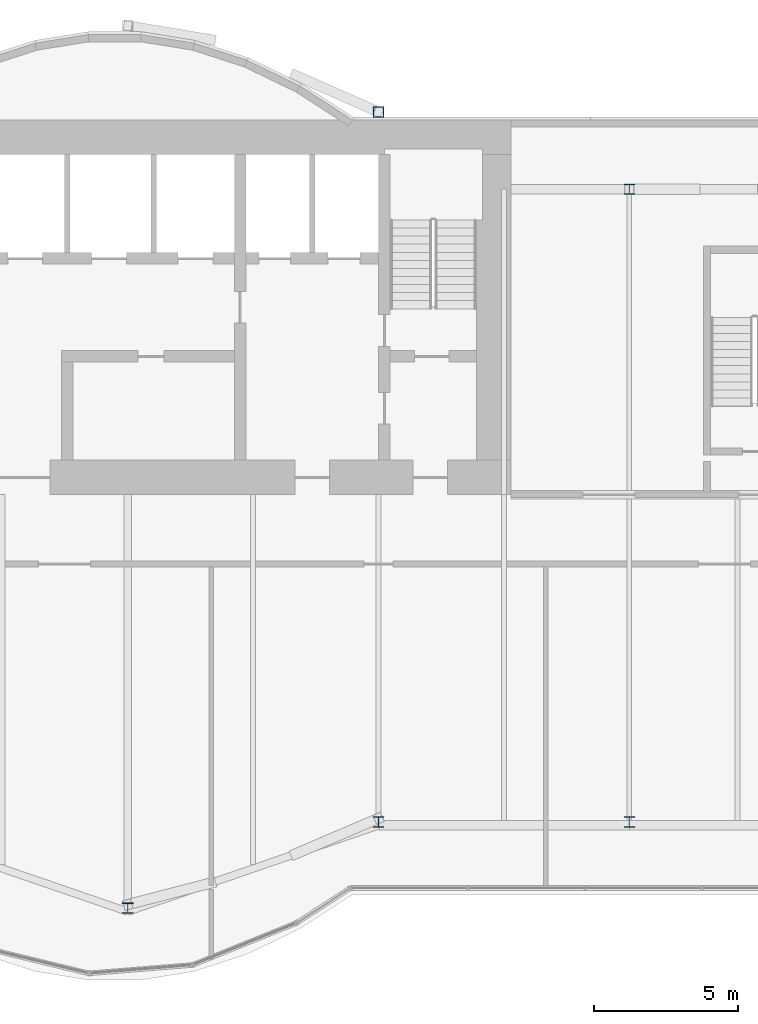
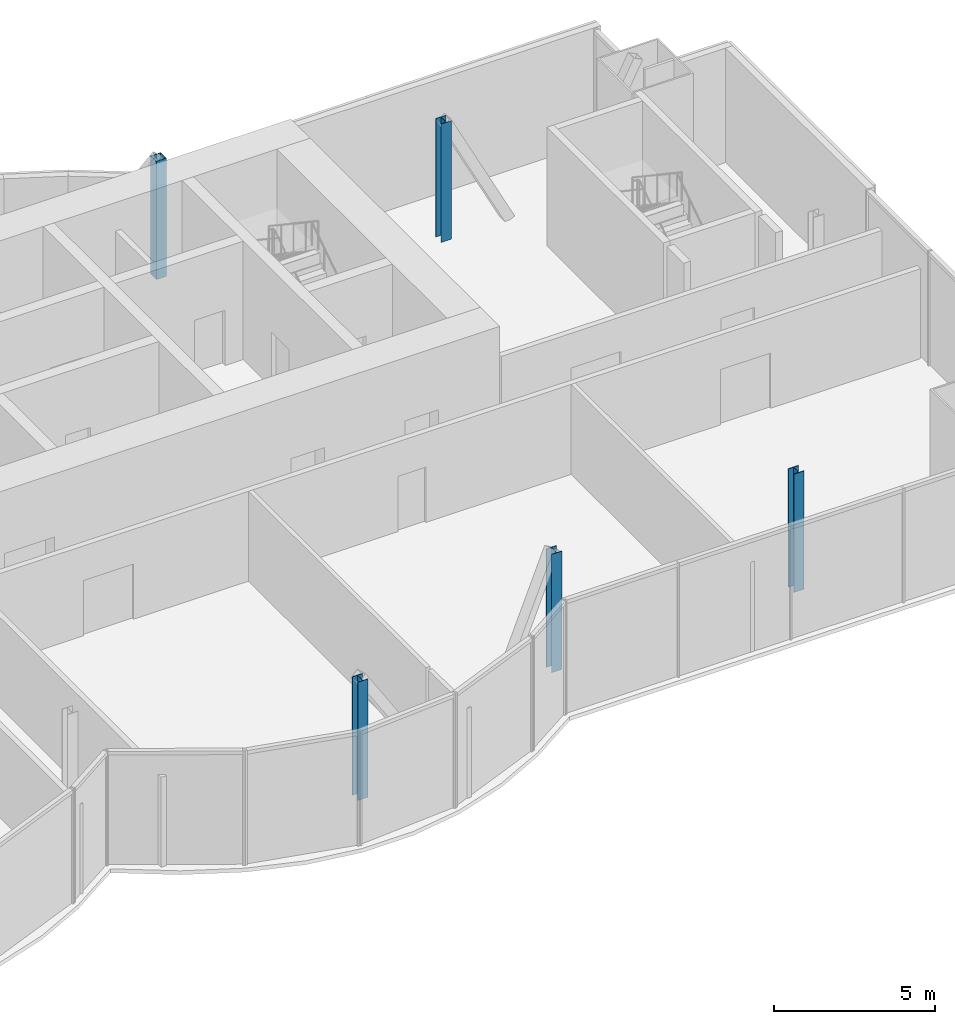
# One storey, part 2 of 18: 5 columns.
"""IFC4 building model written with IfcOpenShell, lengths in metres."""

from ifc_helpers import new_model, si_unit, direction, frame, origin, origin_2d, place, context, subcontext, project, spatial, hollow_rectangle, i_section, extrude, material, material_profile, profile_set, type_object, element, save


model = new_model("IFC4")

# Units and contexts
model_context = context("Model", 3, precision=1e-05, world=origin(), true_north=direction((0.0, 1.0)))
body_context = subcontext(model_context, "Body", "Model", "MODEL_VIEW")
ifc_project = project(units=[si_unit("LENGTHUNIT", "METRE"), si_unit("AREAUNIT", "SQUARE_METRE"), si_unit("VOLUMEUNIT", "CUBIC_METRE"), si_unit("PLANEANGLEUNIT", "RADIAN"), si_unit("MASSUNIT", "GRAM", prefix="KILO")], contexts=[model_context])

# Site, building, storey
site_placement = place(None, origin())
site = spatial("IfcSite", under=ifc_project, at=site_placement, CompositionType="ELEMENT")
building_placement = place(site_placement, origin())
building = spatial("IfcBuilding", under=site, at=building_placement, Name="Bicima Exchange Tower", CompositionType="ELEMENT")
storey_placement = place(building_placement, frame((0.0, 0.0, 302.0)))
storey = spatial("IfcBuildingStorey", under=building, at=storey_placement, Name="L68", CompositionType="ELEMENT", Elevation=302.0)

# Columns
ifc_material_1 = material(Name="Steel ASTM A992 Gr 50", Category="steel")
ifc_material_profile_1 = material_profile(ifc_material_1, i_section(OverallWidth=0.368408203125, OverallDepth=0.355712890625, WebThickness=0.01123046875, FlangeThickness=0.01806640625, at=origin_2d()))
ifc_profile_set_1 = profile_set([ifc_material_profile_1], Name="Steel ASTM A992 Gr 50")
column_type_1 = type_object("IfcColumnType", Name="Perimeter column W14x90", PredefinedType="COLUMN", material=ifc_profile_set_1)
for number, where, z_axis, x_axis, name in (
    (1, (8.699951171875, -27.341064453125, 0.0), (0.0, 0.0, 1.0), (1.0, 0.0, 0.0), "Perimeter column grav+8.7f"),
    (2, (17.39990234375, -24.35009765625, 0.0), (0.0, 0.0, 1.0), (1.0, 0.0, 0.0), "Perimeter column grav+17.4f"),
    (3, (26.10009765625, -24.35009765625, 0.0), (0.0, 0.0, 1.0), (1.0, 0.0, 0.0), "Perimeter column grav+26.1f"),
    (4, (26.10009765625, -2.39990234375, 0.0), (0.0, 0.0, 1.0), (1.0, 0.0, 0.0), "Perimeter column grav+26.1r"),
):
    element("IfcColumn", number, at=place(storey_placement, frame(where, z_axis=z_axis, x_axis=x_axis)), inside=storey, type_object=column_type_1, Name=name, PredefinedType="COLUMN", context=body_context, shape_type="SweptSolid", body=[
        extrude(i_section(OverallWidth=0.368408203125, OverallDepth=0.355712890625, WebThickness=0.01123046875, FlangeThickness=0.01806640625, at=origin_2d()), origin(), (0.0, 0.0, 1.0), 4.5),
    ])
ifc_material_2 = material(Name="Steel ASTM A572 Gr 50", Category="steel")
ifc_material_profile_2 = material_profile(ifc_material_2, hollow_rectangle(XDim=0.355712890625, YDim=0.355712890625, WallThickness=0.01171875, at=origin_2d()))
ifc_profile_set_2 = profile_set([ifc_material_profile_2], Name="Steel ASTM A572 Gr 50")
column_type_2 = type_object("IfcColumnType", Name="Rear pilaster HSS14x14x1/2", PredefinedType="COLUMN", material=ifc_profile_set_2)
column_placement = place(storey_placement, frame((17.39990234375, 0.278076171875, 0.0), z_axis=(0.0, 0.0, 1.0), x_axis=(1.0, 0.0, 0.0)))
element("IfcColumn", 5, at=column_placement, inside=storey, type_object=column_type_2, Name="Rear pilaster rexo+17.4r", PredefinedType="COLUMN", context=body_context, shape_type="SweptSolid", body=[
    extrude(hollow_rectangle(XDim=0.355712890625, YDim=0.355712890625, WallThickness=0.01171875, at=origin_2d()), origin(), (0.0, 0.0, 1.0), 4.5),
])

save(model, "model.ifc")
